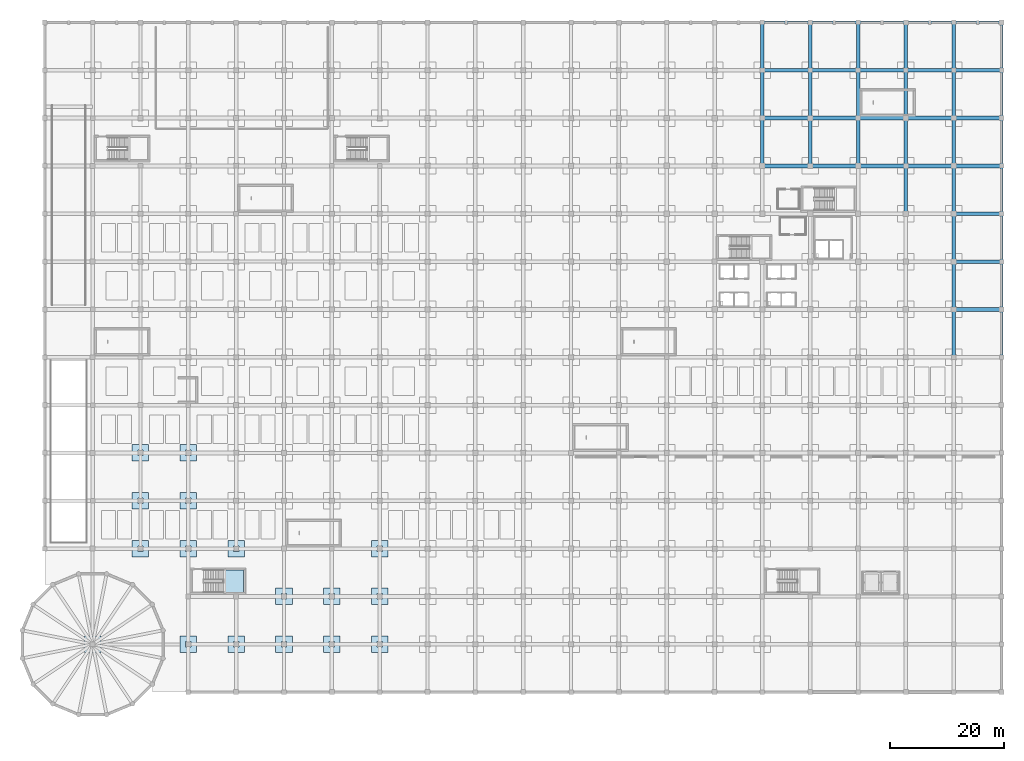
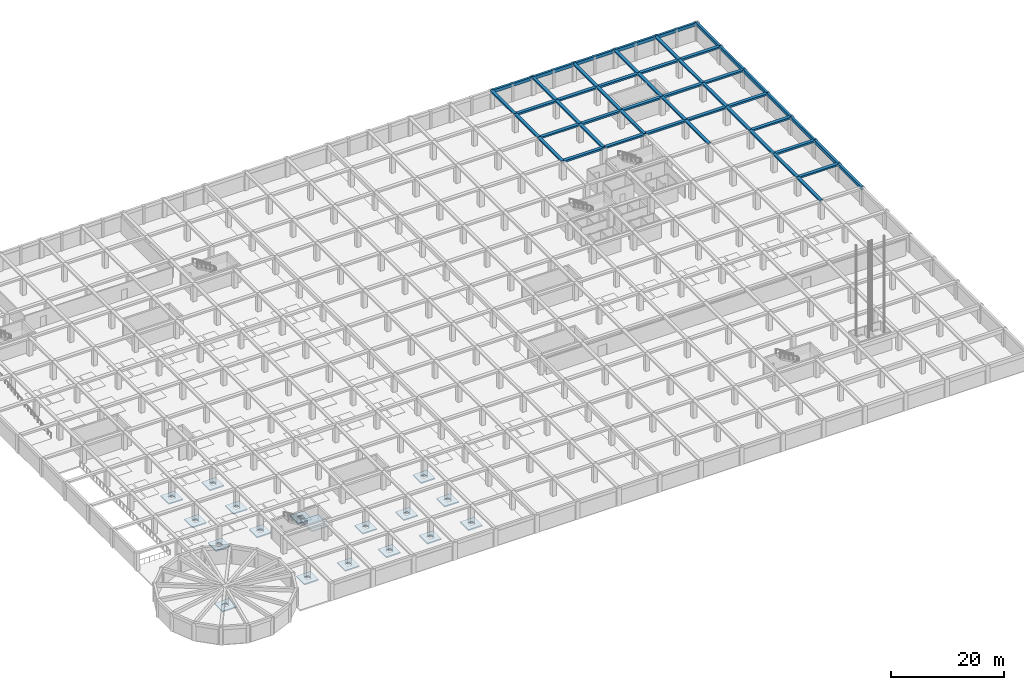
# One storey, part 9 of 32: 50 beams, 18 slabs, 1 element without a shape of its own.
"""IFC4 building model written with IfcOpenShell, lengths in metres."""

from ifc_helpers import new_model, si_unit, direction, frame, origin, origin_2d, place, context, subcontext, project, spatial, polyline, rectangle, outline, extrude, material, layer, layer_set, material_profile, profile_set, type_object, element, aggregate, save


model = new_model("IFC4")

# Units and contexts
model_context = context("Model", 3, precision=1e-05, world=origin(), true_north=direction((0.0, 1.0)))
body_context = subcontext(model_context, "Body", "Model", "MODEL_VIEW")
ifc_project = project(units=[si_unit("LENGTHUNIT", "METRE"), si_unit("AREAUNIT", "SQUARE_METRE"), si_unit("VOLUMEUNIT", "CUBIC_METRE"), si_unit("PLANEANGLEUNIT", "RADIAN"), si_unit("MASSUNIT", "GRAM", prefix="KILO")], contexts=[model_context])

# Site, building, storey
site_placement = place(None, origin())
site = spatial("IfcSite", under=ifc_project, at=site_placement, CompositionType="ELEMENT")
building_placement = place(site_placement, origin())
building = spatial("IfcBuilding", under=site, at=building_placement, Name="Almacenes y Pasaje Nevantli", CompositionType="ELEMENT")
storey_placement = place(building_placement, frame((0.0, 0.0, -4.199951171875)))
storey = spatial("IfcBuildingStorey", under=building, at=storey_placement, Name="B01", CompositionType="ELEMENT", Elevation=-4.199951171875)

# Beams
ifc_material_1 = material(Name="Concrete C35/45", Category="concrete")
ifc_material_profile_1 = material_profile(ifc_material_1, rectangle(XDim=0.449951171875, YDim=0.64990234375, at=origin_2d()), Name="RC-BM-450x650")
ifc_profile_set_1 = profile_set([ifc_material_profile_1], Name="Concrete C35/45")
beam_type_1 = type_object("IfcBeamType", Name="BM-RC-450x650", PredefinedType="SPANDREL", material=ifc_profile_set_1)
for number, where, z_axis, x_axis, name in (
    (1, (126.0, 117.60009765625, 3.554931640625), (1.0, 0.0, 0.0), (0.0, 1.0, 0.0), "B01 East-West Reinforced Concrete Beam #891"),
    (2, (142.800048828125, 117.60009765625, 3.554931640625), (1.0, 0.0, 0.0), (0.0, 1.0, 0.0), "B01 East-West Reinforced Concrete Beam #893"),
    (3, (159.60009765625, 117.60009765625, 3.554931640625), (1.0, 0.0, 0.0), (0.0, 1.0, 0.0), "B01 East-West Reinforced Concrete Beam #895"),
):
    element("IfcBeam", number, at=place(storey_placement, frame(where, z_axis=z_axis, x_axis=x_axis)), inside=storey, type_object=beam_type_1, Name=name, PredefinedType="SPANDREL", context=body_context, shape_type="SweptSolid", body=[
        extrude(rectangle(XDim=0.449951171875, YDim=0.64990234375, at=origin_2d()), origin(), (0.0, 0.0, 1.0), 8.39990234375),
    ])
ifc_material_2 = material(Name="Concrete C35/45", Category="concrete")
ifc_material_profile_2 = material_profile(ifc_material_2, rectangle(XDim=0.449951171875, YDim=0.699951171875, at=origin_2d()), Name="RC-BM-450x700")
ifc_profile_set_2 = profile_set([ifc_material_profile_2], Name="Concrete C35/45")
beam_type_2 = type_object("IfcBeamType", Name="BM-RC-450x700", PredefinedType="SPANDREL", material=ifc_profile_set_2)
for number, where, z_axis, x_axis, name in (
    (4, (134.39990234375, 117.60009765625, 3.530029296875), (1.0, 0.0, 0.0), (0.0, 1.0, 0.0), "B01 East-West Reinforced Concrete Beam #892"),
    (5, (151.199951171875, 117.60009765625, 3.530029296875), (1.0, 0.0, 0.0), (0.0, 1.0, 0.0), "B01 East-West Reinforced Concrete Beam #894"),
):
    element("IfcBeam", number, at=place(storey_placement, frame(where, z_axis=z_axis, x_axis=x_axis)), inside=storey, type_object=beam_type_2, Name=name, PredefinedType="SPANDREL", context=body_context, shape_type="SweptSolid", body=[
        extrude(rectangle(XDim=0.449951171875, YDim=0.699951171875, at=origin_2d()), origin(), (0.0, 0.0, 1.0), 8.400146484375),
    ])
beam_1_placement = place(storey_placement, frame((168.0, 58.800048828125, 3.530029296875), z_axis=(0.0, 1.0, 0.0), x_axis=(-1.0, 0.0, 0.0)))
element("IfcBeam", 6, at=beam_1_placement, inside=storey, type_object=beam_type_2, Name="B01 North-South Reinforced Concrete Beam #1168", PredefinedType="SPANDREL", context=body_context, shape_type="SweptSolid", body=[
    extrude(rectangle(XDim=0.449951171875, YDim=0.699951171875, at=origin_2d()), origin(), (0.0, 0.0, 1.0), 8.39990234375),
])
beam_2_placement = place(storey_placement, frame((168.0, 67.199951171875, 3.530029296875), z_axis=(0.0, 1.0, 0.0), x_axis=(-1.0, 0.0, 0.0)))
element("IfcBeam", 7, at=beam_2_placement, inside=storey, type_object=beam_type_2, Name="B01 North-South Reinforced Concrete Beam #1169", PredefinedType="SPANDREL", context=body_context, shape_type="SweptSolid", body=[
    extrude(rectangle(XDim=0.449951171875, YDim=0.699951171875, at=origin_2d()), origin(), (0.0, 0.0, 1.0), 8.400146484375),
])
for number, where, z_axis, x_axis, name in (
    (8, (168.0, 75.60009765625, 3.530029296875), (0.0, 1.0, 0.0), (-1.0, 0.0, 0.0), "B01 North-South Reinforced Concrete Beam #1170"),
    (9, (168.0, 84.0, 3.530029296875), (0.0, 1.0, 0.0), (-1.0, 0.0, 0.0), "B01 North-South Reinforced Concrete Beam #1171"),
):
    element("IfcBeam", number, at=place(storey_placement, frame(where, z_axis=z_axis, x_axis=x_axis)), inside=storey, type_object=beam_type_2, Name=name, PredefinedType="SPANDREL", context=body_context, shape_type="SweptSolid", body=[
        extrude(rectangle(XDim=0.449951171875, YDim=0.699951171875, at=origin_2d()), origin(), (0.0, 0.0, 1.0), 8.39990234375),
    ])
beam_3_placement = place(storey_placement, frame((168.0, 92.39990234375, 3.530029296875), z_axis=(0.0, 1.0, 0.0), x_axis=(-1.0, 0.0, 0.0)))
element("IfcBeam", 10, at=beam_3_placement, inside=storey, type_object=beam_type_2, Name="B01 North-South Reinforced Concrete Beam #1172", PredefinedType="SPANDREL", context=body_context, shape_type="SweptSolid", body=[
    extrude(rectangle(XDim=0.449951171875, YDim=0.699951171875, at=origin_2d()), origin(), (0.0, 0.0, 1.0), 8.400146484375),
])
beam_4_placement = place(storey_placement, frame((168.0, 100.800048828125, 3.530029296875), z_axis=(0.0, 1.0, 0.0), x_axis=(-1.0, 0.0, 0.0)))
element("IfcBeam", 11, at=beam_4_placement, inside=storey, type_object=beam_type_2, Name="B01 North-South Reinforced Concrete Beam #1173", PredefinedType="SPANDREL", context=body_context, shape_type="SweptSolid", body=[
    extrude(rectangle(XDim=0.449951171875, YDim=0.699951171875, at=origin_2d()), origin(), (0.0, 0.0, 1.0), 8.39990234375),
])
beam_5_placement = place(storey_placement, frame((168.0, 109.199951171875, 3.530029296875), z_axis=(0.0, 1.0, 0.0), x_axis=(-1.0, 0.0, 0.0)))
element("IfcBeam", 12, at=beam_5_placement, inside=storey, type_object=beam_type_2, Name="B01 North-South Reinforced Concrete Beam #1174", PredefinedType="SPANDREL", context=body_context, shape_type="SweptSolid", body=[
    extrude(rectangle(XDim=0.449951171875, YDim=0.699951171875, at=origin_2d()), origin(), (0.0, 0.0, 1.0), 8.400146484375),
])
ifc_material_3 = material(Name="Concrete C35/45", Category="concrete")
ifc_material_profile_3 = material_profile(ifc_material_3, rectangle(XDim=0.60009765625, YDim=0.320068359375, at=origin_2d()), Name="RC-BM-600x320")
ifc_profile_set_3 = profile_set([ifc_material_profile_3], Name="Concrete C35/45")
beam_type_3 = type_object("IfcBeamType", Name="BM-RC-600x320", PredefinedType="BEAM", material=ifc_profile_set_3)
beam_6_placement = place(storey_placement, frame((126.0, 100.800048828125, 3.719970703125), z_axis=(0.0, 1.0, 0.0), x_axis=(-1.0, 0.0, 0.0)))
element("IfcBeam", 13, at=beam_6_placement, inside=storey, type_object=beam_type_3, Name="B01 North-South Reinforced Concrete Beam #1105", PredefinedType="BEAM", context=body_context, shape_type="SweptSolid", body=[
    extrude(rectangle(XDim=0.60009765625, YDim=0.320068359375, at=origin_2d()), origin(), (0.0, 0.0, 1.0), 8.39990234375),
])
for number, where, z_axis, x_axis, name in (
    (14, (134.39990234375, 92.39990234375, 3.719970703125), (0.0, 1.0, 0.0), (-1.0, 0.0, 0.0), "B01 North-South Reinforced Concrete Beam #1116"),
    (15, (134.39990234375, 109.199951171875, 3.719970703125), (0.0, 1.0, 0.0), (-1.0, 0.0, 0.0), "B01 North-South Reinforced Concrete Beam #1118"),
):
    element("IfcBeam", number, at=place(storey_placement, frame(where, z_axis=z_axis, x_axis=x_axis)), inside=storey, type_object=beam_type_3, Name=name, PredefinedType="BEAM", context=body_context, shape_type="SweptSolid", body=[
        extrude(rectangle(XDim=0.60009765625, YDim=0.320068359375, at=origin_2d()), origin(), (0.0, 0.0, 1.0), 8.400146484375),
    ])
beam_7_placement = place(storey_placement, frame((142.800048828125, 100.800048828125, 3.719970703125), z_axis=(0.0, 1.0, 0.0), x_axis=(-1.0, 0.0, 0.0)))
element("IfcBeam", 16, at=beam_7_placement, inside=storey, type_object=beam_type_3, Name="B01 North-South Reinforced Concrete Beam #1131", PredefinedType="BEAM", context=body_context, shape_type="SweptSolid", body=[
    extrude(rectangle(XDim=0.60009765625, YDim=0.320068359375, at=origin_2d()), origin(), (0.0, 0.0, 1.0), 8.39990234375),
])
for number, where, z_axis, x_axis, name in (
    (17, (151.199951171875, 92.39990234375, 3.719970703125), (0.0, 1.0, 0.0), (-1.0, 0.0, 0.0), "B01 North-South Reinforced Concrete Beam #1144"),
    (18, (151.199951171875, 109.199951171875, 3.719970703125), (0.0, 1.0, 0.0), (-1.0, 0.0, 0.0), "B01 North-South Reinforced Concrete Beam #1146"),
    (19, (159.60009765625, 67.199951171875, 3.719970703125), (0.0, 1.0, 0.0), (-1.0, 0.0, 0.0), "B01 North-South Reinforced Concrete Beam #1155"),
):
    element("IfcBeam", number, at=place(storey_placement, frame(where, z_axis=z_axis, x_axis=x_axis)), inside=storey, type_object=beam_type_3, Name=name, PredefinedType="BEAM", context=body_context, shape_type="SweptSolid", body=[
        extrude(rectangle(XDim=0.60009765625, YDim=0.320068359375, at=origin_2d()), origin(), (0.0, 0.0, 1.0), 8.400146484375),
    ])
for number, where, z_axis, x_axis, name in (
    (20, (159.60009765625, 84.0, 3.719970703125), (0.0, 1.0, 0.0), (-1.0, 0.0, 0.0), "B01 North-South Reinforced Concrete Beam #1157"),
    (21, (159.60009765625, 100.800048828125, 3.719970703125), (0.0, 1.0, 0.0), (-1.0, 0.0, 0.0), "B01 North-South Reinforced Concrete Beam #1159"),
):
    element("IfcBeam", number, at=place(storey_placement, frame(where, z_axis=z_axis, x_axis=x_axis)), inside=storey, type_object=beam_type_3, Name=name, PredefinedType="BEAM", context=body_context, shape_type="SweptSolid", body=[
        extrude(rectangle(XDim=0.60009765625, YDim=0.320068359375, at=origin_2d()), origin(), (0.0, 0.0, 1.0), 8.39990234375),
    ])
ifc_material_4 = material(Name="Concrete C35/45", Category="concrete")
ifc_material_profile_4 = material_profile(ifc_material_4, rectangle(XDim=0.60009765625, YDim=0.340087890625, at=origin_2d()), Name="RC-BM-600x340")
ifc_profile_set_4 = profile_set([ifc_material_profile_4], Name="Concrete C35/45")
beam_type_4 = type_object("IfcBeamType", Name="BM-RC-600x340", PredefinedType="BEAM", material=ifc_profile_set_4)
for number, where, z_axis, x_axis, name in (
    (22, (126.0, 92.39990234375, 3.7099609375), (0.0, 1.0, 0.0), (-1.0, 0.0, 0.0), "B01 North-South Reinforced Concrete Beam #1104"),
    (23, (126.0, 109.199951171875, 3.7099609375), (0.0, 1.0, 0.0), (-1.0, 0.0, 0.0), "B01 North-South Reinforced Concrete Beam #1106"),
):
    element("IfcBeam", number, at=place(storey_placement, frame(where, z_axis=z_axis, x_axis=x_axis)), inside=storey, type_object=beam_type_4, Name=name, PredefinedType="BEAM", context=body_context, shape_type="SweptSolid", body=[
        extrude(rectangle(XDim=0.60009765625, YDim=0.340087890625, at=origin_2d()), origin(), (0.0, 0.0, 1.0), 8.400146484375),
    ])
beam_8_placement = place(storey_placement, frame((134.39990234375, 100.800048828125, 3.7099609375), z_axis=(0.0, 1.0, 0.0), x_axis=(-1.0, 0.0, 0.0)))
element("IfcBeam", 24, at=beam_8_placement, inside=storey, type_object=beam_type_4, Name="B01 North-South Reinforced Concrete Beam #1117", PredefinedType="BEAM", context=body_context, shape_type="SweptSolid", body=[
    extrude(rectangle(XDim=0.60009765625, YDim=0.340087890625, at=origin_2d()), origin(), (0.0, 0.0, 1.0), 8.39990234375),
])
for number, where, z_axis, x_axis, name in (
    (25, (142.800048828125, 92.39990234375, 3.7099609375), (0.0, 1.0, 0.0), (-1.0, 0.0, 0.0), "B01 North-South Reinforced Concrete Beam #1130"),
    (26, (142.800048828125, 109.199951171875, 3.7099609375), (0.0, 1.0, 0.0), (-1.0, 0.0, 0.0), "B01 North-South Reinforced Concrete Beam #1132"),
):
    element("IfcBeam", number, at=place(storey_placement, frame(where, z_axis=z_axis, x_axis=x_axis)), inside=storey, type_object=beam_type_4, Name=name, PredefinedType="BEAM", context=body_context, shape_type="SweptSolid", body=[
        extrude(rectangle(XDim=0.60009765625, YDim=0.340087890625, at=origin_2d()), origin(), (0.0, 0.0, 1.0), 8.400146484375),
    ])
for number, where, z_axis, x_axis, name in (
    (27, (151.199951171875, 84.0, 3.7099609375), (0.0, 1.0, 0.0), (-1.0, 0.0, 0.0), "B01 North-South Reinforced Concrete Beam #1143"),
    (28, (151.199951171875, 100.800048828125, 3.7099609375), (0.0, 1.0, 0.0), (-1.0, 0.0, 0.0), "B01 North-South Reinforced Concrete Beam #1145"),
    (29, (159.60009765625, 58.800048828125, 3.7099609375), (0.0, 1.0, 0.0), (-1.0, 0.0, 0.0), "B01 North-South Reinforced Concrete Beam #1154"),
    (30, (159.60009765625, 75.60009765625, 3.7099609375), (0.0, 1.0, 0.0), (-1.0, 0.0, 0.0), "B01 North-South Reinforced Concrete Beam #1156"),
):
    element("IfcBeam", number, at=place(storey_placement, frame(where, z_axis=z_axis, x_axis=x_axis)), inside=storey, type_object=beam_type_4, Name=name, PredefinedType="BEAM", context=body_context, shape_type="SweptSolid", body=[
        extrude(rectangle(XDim=0.60009765625, YDim=0.340087890625, at=origin_2d()), origin(), (0.0, 0.0, 1.0), 8.39990234375),
    ])
for number, where, z_axis, x_axis, name in (
    (31, (159.60009765625, 92.39990234375, 3.7099609375), (0.0, 1.0, 0.0), (-1.0, 0.0, 0.0), "B01 North-South Reinforced Concrete Beam #1158"),
    (32, (159.60009765625, 109.199951171875, 3.7099609375), (0.0, 1.0, 0.0), (-1.0, 0.0, 0.0), "B01 North-South Reinforced Concrete Beam #1160"),
):
    element("IfcBeam", number, at=place(storey_placement, frame(where, z_axis=z_axis, x_axis=x_axis)), inside=storey, type_object=beam_type_4, Name=name, PredefinedType="BEAM", context=body_context, shape_type="SweptSolid", body=[
        extrude(rectangle(XDim=0.60009765625, YDim=0.340087890625, at=origin_2d()), origin(), (0.0, 0.0, 1.0), 8.400146484375),
    ])
ifc_material_5 = material(Name="Concrete C35/45", Category="concrete")
ifc_material_profile_5 = material_profile(ifc_material_5, rectangle(XDim=0.64990234375, YDim=0.35009765625, at=origin_2d()), Name="RC-BM-650x350")
ifc_profile_set_5 = profile_set([ifc_material_profile_5], Name="Concrete C35/45")
beam_type_5 = type_object("IfcBeamType", Name="BM-RC-650x350", PredefinedType="BEAM", material=ifc_profile_set_5)
for number, where, z_axis, x_axis, name in (
    (33, (159.60009765625, 67.199951171875, 3.704833984375), (1.0, 0.0, 0.0), (0.0, 1.0, 0.0), "B01 East-West Reinforced Concrete Beam #775"),
    (34, (159.60009765625, 84.0, 3.704833984375), (1.0, 0.0, 0.0), (0.0, 1.0, 0.0), "B01 East-West Reinforced Concrete Beam #815"),
):
    element("IfcBeam", number, at=place(storey_placement, frame(where, z_axis=z_axis, x_axis=x_axis)), inside=storey, type_object=beam_type_5, Name=name, PredefinedType="BEAM", context=body_context, shape_type="SweptSolid", body=[
        extrude(rectangle(XDim=0.64990234375, YDim=0.35009765625, at=origin_2d()), origin(), (0.0, 0.0, 1.0), 8.39990234375),
    ])
for number, where, z_axis, x_axis, name in (
    (35, (134.39990234375, 92.39990234375, 3.704833984375), (1.0, 0.0, 0.0), (0.0, 1.0, 0.0), "B01 East-West Reinforced Concrete Beam #832"),
    (36, (151.199951171875, 92.39990234375, 3.704833984375), (1.0, 0.0, 0.0), (0.0, 1.0, 0.0), "B01 East-West Reinforced Concrete Beam #834"),
):
    element("IfcBeam", number, at=place(storey_placement, frame(where, z_axis=z_axis, x_axis=x_axis)), inside=storey, type_object=beam_type_5, Name=name, PredefinedType="BEAM", context=body_context, shape_type="SweptSolid", body=[
        extrude(rectangle(XDim=0.64990234375, YDim=0.35009765625, at=origin_2d()), origin(), (0.0, 0.0, 1.0), 8.400146484375),
    ])
for number, where, z_axis, x_axis, name in (
    (37, (126.0, 100.800048828125, 3.704833984375), (1.0, 0.0, 0.0), (0.0, 1.0, 0.0), "B01 East-West Reinforced Concrete Beam #851"),
    (38, (142.800048828125, 100.800048828125, 3.704833984375), (1.0, 0.0, 0.0), (0.0, 1.0, 0.0), "B01 East-West Reinforced Concrete Beam #853"),
    (39, (159.60009765625, 100.800048828125, 3.704833984375), (1.0, 0.0, 0.0), (0.0, 1.0, 0.0), "B01 East-West Reinforced Concrete Beam #855"),
):
    element("IfcBeam", number, at=place(storey_placement, frame(where, z_axis=z_axis, x_axis=x_axis)), inside=storey, type_object=beam_type_5, Name=name, PredefinedType="BEAM", context=body_context, shape_type="SweptSolid", body=[
        extrude(rectangle(XDim=0.64990234375, YDim=0.35009765625, at=origin_2d()), origin(), (0.0, 0.0, 1.0), 8.39990234375),
    ])
for number, where, z_axis, x_axis, name in (
    (40, (134.39990234375, 109.199951171875, 3.704833984375), (1.0, 0.0, 0.0), (0.0, 1.0, 0.0), "B01 East-West Reinforced Concrete Beam #872"),
    (41, (151.199951171875, 109.199951171875, 3.704833984375), (1.0, 0.0, 0.0), (0.0, 1.0, 0.0), "B01 East-West Reinforced Concrete Beam #874"),
):
    element("IfcBeam", number, at=place(storey_placement, frame(where, z_axis=z_axis, x_axis=x_axis)), inside=storey, type_object=beam_type_5, Name=name, PredefinedType="BEAM", context=body_context, shape_type="SweptSolid", body=[
        extrude(rectangle(XDim=0.64990234375, YDim=0.35009765625, at=origin_2d()), origin(), (0.0, 0.0, 1.0), 8.400146484375),
    ])
ifc_material_6 = material(Name="Concrete C35/45", Category="concrete")
ifc_material_profile_6 = material_profile(ifc_material_6, rectangle(XDim=0.64990234375, YDim=0.3798828125, at=origin_2d()), Name="RC-BM-650x380")
ifc_profile_set_6 = profile_set([ifc_material_profile_6], Name="Concrete C35/45")
beam_type_6 = type_object("IfcBeamType", Name="BM-RC-650x380", PredefinedType="BEAM", material=ifc_profile_set_6)
for number, where, z_axis, x_axis, name in (
    (42, (159.60009765625, 75.60009765625, 3.68994140625), (1.0, 0.0, 0.0), (0.0, 1.0, 0.0), "B01 East-West Reinforced Concrete Beam #795"),
    (43, (126.0, 92.39990234375, 3.68994140625), (1.0, 0.0, 0.0), (0.0, 1.0, 0.0), "B01 East-West Reinforced Concrete Beam #831"),
    (44, (142.800048828125, 92.39990234375, 3.68994140625), (1.0, 0.0, 0.0), (0.0, 1.0, 0.0), "B01 East-West Reinforced Concrete Beam #833"),
    (45, (159.60009765625, 92.39990234375, 3.68994140625), (1.0, 0.0, 0.0), (0.0, 1.0, 0.0), "B01 East-West Reinforced Concrete Beam #835"),
):
    element("IfcBeam", number, at=place(storey_placement, frame(where, z_axis=z_axis, x_axis=x_axis)), inside=storey, type_object=beam_type_6, Name=name, PredefinedType="BEAM", context=body_context, shape_type="SweptSolid", body=[
        extrude(rectangle(XDim=0.64990234375, YDim=0.3798828125, at=origin_2d()), origin(), (0.0, 0.0, 1.0), 8.39990234375),
    ])
for number, where, z_axis, x_axis, name in (
    (46, (134.39990234375, 100.800048828125, 3.68994140625), (1.0, 0.0, 0.0), (0.0, 1.0, 0.0), "B01 East-West Reinforced Concrete Beam #852"),
    (47, (151.199951171875, 100.800048828125, 3.68994140625), (1.0, 0.0, 0.0), (0.0, 1.0, 0.0), "B01 East-West Reinforced Concrete Beam #854"),
):
    element("IfcBeam", number, at=place(storey_placement, frame(where, z_axis=z_axis, x_axis=x_axis)), inside=storey, type_object=beam_type_6, Name=name, PredefinedType="BEAM", context=body_context, shape_type="SweptSolid", body=[
        extrude(rectangle(XDim=0.64990234375, YDim=0.3798828125, at=origin_2d()), origin(), (0.0, 0.0, 1.0), 8.400146484375),
    ])
for number, where, z_axis, x_axis, name in (
    (48, (126.0, 109.199951171875, 3.68994140625), (1.0, 0.0, 0.0), (0.0, 1.0, 0.0), "B01 East-West Reinforced Concrete Beam #871"),
    (49, (142.800048828125, 109.199951171875, 3.68994140625), (1.0, 0.0, 0.0), (0.0, 1.0, 0.0), "B01 East-West Reinforced Concrete Beam #873"),
    (50, (159.60009765625, 109.199951171875, 3.68994140625), (1.0, 0.0, 0.0), (0.0, 1.0, 0.0), "B01 East-West Reinforced Concrete Beam #875"),
):
    element("IfcBeam", number, at=place(storey_placement, frame(where, z_axis=z_axis, x_axis=x_axis)), inside=storey, type_object=beam_type_6, Name=name, PredefinedType="BEAM", context=body_context, shape_type="SweptSolid", body=[
        extrude(rectangle(XDim=0.64990234375, YDim=0.3798828125, at=origin_2d()), origin(), (0.0, 0.0, 1.0), 8.39990234375),
    ])

# Slabs
ifc_material_7 = material(Name="Concrete C35/45", Category="concrete")
ifc_layer_1 = layer(ifc_material_7, 0.25)
ifc_layer_set_1 = layer_set([ifc_layer_1], Name="Concrete C35/45")
slab_type_1 = type_object("IfcSlabType", Name="SLB-DP-250", PredefinedType="USERDEFINED", material=ifc_layer_set_1)
slab_1_placement = place(storey_placement, frame((0.0, 0.0, -0.550048828125)))
element("IfcSlab", 51, at=slab_1_placement, inside=storey, type_object=slab_type_1, Name="B01 Punching-Shear Drop Panel DP-02 #1", ObjectType="DROP PANEL", PredefinedType="USERDEFINED", context=body_context, shape_type="SweptSolid", body=[
    extrude(outline(polyline([(6.949951171875, 6.949951171875), (9.85009765625, 6.949951171875), (9.85009765625, 9.85009765625), (6.949951171875, 9.85009765625), (6.949951171875, 6.949951171875)]), holes=[polyline([(7.919921875, 7.919921875), (8.8798828125, 7.919921875), (8.8798828125, 8.8798828125), (7.919921875, 8.8798828125), (7.919921875, 7.919921875)])]), origin(), (0.0, 0.0, 1.0), 0.25),
])
slab_2_placement = place(storey_placement, frame((0.0, 0.0, -0.550048828125)))
element("IfcSlab", 52, at=slab_2_placement, inside=storey, type_object=slab_type_1, Name="B01 Punching-Shear Drop Panel DP-02 #3", ObjectType="DROP PANEL", PredefinedType="USERDEFINED", context=body_context, shape_type="SweptSolid", body=[
    extrude(outline(polyline([(15.35009765625, 23.75), (18.25, 23.75), (18.25, 26.64990234375), (15.35009765625, 26.64990234375), (15.35009765625, 23.75)]), holes=[polyline([(16.320068359375, 24.719970703125), (17.280029296875, 24.719970703125), (17.280029296875, 25.679931640625), (16.320068359375, 25.679931640625), (16.320068359375, 24.719970703125)])]), origin(), (0.0, 0.0, 1.0), 0.25),
])
slab_3_placement = place(storey_placement, frame((0.0, 0.0, -0.550048828125)))
element("IfcSlab", 53, at=slab_3_placement, inside=storey, type_object=slab_type_1, Name="B01 Punching-Shear Drop Panel DP-02 #4", ObjectType="DROP PANEL", PredefinedType="USERDEFINED", context=body_context, shape_type="SweptSolid", body=[
    extrude(outline(polyline([(15.35009765625, 32.14990234375), (18.25, 32.14990234375), (18.25, 35.050048828125), (15.35009765625, 35.050048828125), (15.35009765625, 32.14990234375)]), holes=[polyline([(16.320068359375, 33.1201171875), (17.280029296875, 33.1201171875), (17.280029296875, 34.080078125), (16.320068359375, 34.080078125), (16.320068359375, 33.1201171875)])]), origin(), (0.0, 0.0, 1.0), 0.25),
])
slab_4_placement = place(storey_placement, frame((0.0, 0.0, -0.550048828125)))
element("IfcSlab", 54, at=slab_4_placement, inside=storey, type_object=slab_type_1, Name="B01 Punching-Shear Drop Panel DP-02 #5", ObjectType="DROP PANEL", PredefinedType="USERDEFINED", context=body_context, shape_type="SweptSolid", body=[
    extrude(outline(polyline([(15.35009765625, 40.550048828125), (18.25, 40.550048828125), (18.25, 43.449951171875), (15.35009765625, 43.449951171875), (15.35009765625, 40.550048828125)]), holes=[polyline([(16.320068359375, 41.52001953125), (17.280029296875, 41.52001953125), (17.280029296875, 42.47998046875), (16.320068359375, 42.47998046875), (16.320068359375, 41.52001953125)])]), origin(), (0.0, 0.0, 1.0), 0.25),
])
slab_5_placement = place(storey_placement, frame((0.0, 0.0, -0.550048828125)))
element("IfcSlab", 55, at=slab_5_placement, inside=storey, type_object=slab_type_1, Name="B01 Punching-Shear Drop Panel DP-02 #11", ObjectType="DROP PANEL", PredefinedType="USERDEFINED", context=body_context, shape_type="SweptSolid", body=[
    extrude(outline(polyline([(23.75, 6.949951171875), (26.64990234375, 6.949951171875), (26.64990234375, 9.85009765625), (23.75, 9.85009765625), (23.75, 6.949951171875)]), holes=[polyline([(24.719970703125, 7.919921875), (25.679931640625, 7.919921875), (25.679931640625, 8.8798828125), (24.719970703125, 8.8798828125), (24.719970703125, 7.919921875)])]), origin(), (0.0, 0.0, 1.0), 0.25),
])
slab_6_placement = place(storey_placement, frame((0.0, 0.0, -0.550048828125)))
element("IfcSlab", 56, at=slab_6_placement, inside=storey, type_object=slab_type_1, Name="B01 Punching-Shear Drop Panel DP-02 #12", ObjectType="DROP PANEL", PredefinedType="USERDEFINED", context=body_context, shape_type="SweptSolid", body=[
    extrude(outline(polyline([(23.75, 23.75), (26.64990234375, 23.75), (26.64990234375, 26.64990234375), (23.75, 26.64990234375), (23.75, 23.75)]), holes=[polyline([(24.719970703125, 24.719970703125), (25.679931640625, 24.719970703125), (25.679931640625, 25.679931640625), (24.719970703125, 25.679931640625), (24.719970703125, 24.719970703125)])]), origin(), (0.0, 0.0, 1.0), 0.25),
])
slab_7_placement = place(storey_placement, frame((0.0, 0.0, -0.550048828125)))
element("IfcSlab", 57, at=slab_7_placement, inside=storey, type_object=slab_type_1, Name="B01 Punching-Shear Drop Panel DP-02 #13", ObjectType="DROP PANEL", PredefinedType="USERDEFINED", context=body_context, shape_type="SweptSolid", body=[
    extrude(outline(polyline([(23.75, 32.14990234375), (26.64990234375, 32.14990234375), (26.64990234375, 35.050048828125), (23.75, 35.050048828125), (23.75, 32.14990234375)]), holes=[polyline([(24.719970703125, 33.1201171875), (25.679931640625, 33.1201171875), (25.679931640625, 34.080078125), (24.719970703125, 34.080078125), (24.719970703125, 33.1201171875)])]), origin(), (0.0, 0.0, 1.0), 0.25),
])
slab_8_placement = place(storey_placement, frame((0.0, 0.0, -0.550048828125)))
element("IfcSlab", 58, at=slab_8_placement, inside=storey, type_object=slab_type_1, Name="B01 Punching-Shear Drop Panel DP-02 #14", ObjectType="DROP PANEL", PredefinedType="USERDEFINED", context=body_context, shape_type="SweptSolid", body=[
    extrude(outline(polyline([(23.75, 40.550048828125), (26.64990234375, 40.550048828125), (26.64990234375, 43.449951171875), (23.75, 43.449951171875), (23.75, 40.550048828125)]), holes=[polyline([(24.719970703125, 41.52001953125), (25.679931640625, 41.52001953125), (25.679931640625, 42.47998046875), (24.719970703125, 42.47998046875), (24.719970703125, 41.52001953125)])]), origin(), (0.0, 0.0, 1.0), 0.25),
])
slab_9_placement = place(storey_placement, frame((0.0, 0.0, -0.550048828125)))
element("IfcSlab", 59, at=slab_9_placement, inside=storey, type_object=slab_type_1, Name="B01 Punching-Shear Drop Panel DP-02 #22", ObjectType="DROP PANEL", PredefinedType="USERDEFINED", context=body_context, shape_type="SweptSolid", body=[
    extrude(outline(polyline([(32.14990234375, 6.949951171875), (35.050048828125, 6.949951171875), (35.050048828125, 9.85009765625), (32.14990234375, 9.85009765625), (32.14990234375, 6.949951171875)]), holes=[polyline([(33.1201171875, 7.919921875), (34.080078125, 7.919921875), (34.080078125, 8.8798828125), (33.1201171875, 8.8798828125), (33.1201171875, 7.919921875)])]), origin(), (0.0, 0.0, 1.0), 0.25),
])
slab_10_placement = place(storey_placement, frame((0.0, 0.0, -0.550048828125)))
element("IfcSlab", 60, at=slab_10_placement, inside=storey, type_object=slab_type_1, Name="B01 Punching-Shear Drop Panel DP-02 #23", ObjectType="DROP PANEL", PredefinedType="USERDEFINED", context=body_context, shape_type="SweptSolid", body=[
    extrude(outline(polyline([(32.14990234375, 23.75), (35.050048828125, 23.75), (35.050048828125, 26.64990234375), (32.14990234375, 26.64990234375), (32.14990234375, 23.75)]), holes=[polyline([(33.1201171875, 24.719970703125), (34.080078125, 24.719970703125), (34.080078125, 25.679931640625), (33.1201171875, 25.679931640625), (33.1201171875, 24.719970703125)])]), origin(), (0.0, 0.0, 1.0), 0.25),
])
slab_11_placement = place(storey_placement, frame((0.0, 0.0, -0.550048828125)))
element("IfcSlab", 61, at=slab_11_placement, inside=storey, type_object=slab_type_1, Name="B01 Punching-Shear Drop Panel DP-02 #33", ObjectType="DROP PANEL", PredefinedType="USERDEFINED", context=body_context, shape_type="SweptSolid", body=[
    extrude(outline(polyline([(40.550048828125, 6.949951171875), (43.449951171875, 6.949951171875), (43.449951171875, 9.85009765625), (40.550048828125, 9.85009765625), (40.550048828125, 6.949951171875)]), holes=[polyline([(41.52001953125, 7.919921875), (42.47998046875, 7.919921875), (42.47998046875, 8.8798828125), (41.52001953125, 8.8798828125), (41.52001953125, 7.919921875)])]), origin(), (0.0, 0.0, 1.0), 0.25),
])
slab_12_placement = place(storey_placement, frame((0.0, 0.0, -0.550048828125)))
element("IfcSlab", 62, at=slab_12_placement, inside=storey, type_object=slab_type_1, Name="B01 Punching-Shear Drop Panel DP-02 #34", ObjectType="DROP PANEL", PredefinedType="USERDEFINED", context=body_context, shape_type="SweptSolid", body=[
    extrude(outline(polyline([(40.550048828125, 15.35009765625), (43.449951171875, 15.35009765625), (43.449951171875, 18.25), (40.550048828125, 18.25), (40.550048828125, 15.35009765625)]), holes=[polyline([(41.52001953125, 16.320068359375), (42.47998046875, 16.320068359375), (42.47998046875, 17.280029296875), (41.52001953125, 17.280029296875), (41.52001953125, 16.320068359375)])]), origin(), (0.0, 0.0, 1.0), 0.25),
])
slab_13_placement = place(storey_placement, frame((0.0, 0.0, -0.550048828125)))
element("IfcSlab", 63, at=slab_13_placement, inside=storey, type_object=slab_type_1, Name="B01 Punching-Shear Drop Panel DP-02 #44", ObjectType="DROP PANEL", PredefinedType="USERDEFINED", context=body_context, shape_type="SweptSolid", body=[
    extrude(outline(polyline([(48.949951171875, 6.949951171875), (51.85009765625, 6.949951171875), (51.85009765625, 9.85009765625), (48.949951171875, 9.85009765625), (48.949951171875, 6.949951171875)]), holes=[polyline([(49.919921875, 7.919921875), (50.8798828125, 7.919921875), (50.8798828125, 8.8798828125), (49.919921875, 8.8798828125), (49.919921875, 7.919921875)])]), origin(), (0.0, 0.0, 1.0), 0.25),
])
slab_14_placement = place(storey_placement, frame((0.0, 0.0, -0.550048828125)))
element("IfcSlab", 64, at=slab_14_placement, inside=storey, type_object=slab_type_1, Name="B01 Punching-Shear Drop Panel DP-02 #45", ObjectType="DROP PANEL", PredefinedType="USERDEFINED", context=body_context, shape_type="SweptSolid", body=[
    extrude(outline(polyline([(48.949951171875, 15.35009765625), (51.85009765625, 15.35009765625), (51.85009765625, 18.25), (48.949951171875, 18.25), (48.949951171875, 15.35009765625)]), holes=[polyline([(49.919921875, 16.320068359375), (50.8798828125, 16.320068359375), (50.8798828125, 17.280029296875), (49.919921875, 17.280029296875), (49.919921875, 16.320068359375)])]), origin(), (0.0, 0.0, 1.0), 0.25),
])
slab_15_placement = place(storey_placement, frame((0.0, 0.0, -0.550048828125)))
element("IfcSlab", 65, at=slab_15_placement, inside=storey, type_object=slab_type_1, Name="B01 Punching-Shear Drop Panel DP-02 #55", ObjectType="DROP PANEL", PredefinedType="USERDEFINED", context=body_context, shape_type="SweptSolid", body=[
    extrude(outline(polyline([(57.35009765625, 6.949951171875), (60.25, 6.949951171875), (60.25, 9.85009765625), (57.35009765625, 9.85009765625), (57.35009765625, 6.949951171875)]), holes=[polyline([(58.320068359375, 7.919921875), (59.280029296875, 7.919921875), (59.280029296875, 8.8798828125), (58.320068359375, 8.8798828125), (58.320068359375, 7.919921875)])]), origin(), (0.0, 0.0, 1.0), 0.25),
])
slab_16_placement = place(storey_placement, frame((0.0, 0.0, -0.550048828125)))
element("IfcSlab", 66, at=slab_16_placement, inside=storey, type_object=slab_type_1, Name="B01 Punching-Shear Drop Panel DP-02 #56", ObjectType="DROP PANEL", PredefinedType="USERDEFINED", context=body_context, shape_type="SweptSolid", body=[
    extrude(outline(polyline([(57.35009765625, 15.35009765625), (60.25, 15.35009765625), (60.25, 18.25), (57.35009765625, 18.25), (57.35009765625, 15.35009765625)]), holes=[polyline([(58.320068359375, 16.320068359375), (59.280029296875, 16.320068359375), (59.280029296875, 17.280029296875), (58.320068359375, 17.280029296875), (58.320068359375, 16.320068359375)])]), origin(), (0.0, 0.0, 1.0), 0.25),
])
slab_17_placement = place(storey_placement, frame((0.0, 0.0, -0.550048828125)))
element("IfcSlab", 67, at=slab_17_placement, inside=storey, type_object=slab_type_1, Name="B01 Punching-Shear Drop Panel DP-02 #57", ObjectType="DROP PANEL", PredefinedType="USERDEFINED", context=body_context, shape_type="SweptSolid", body=[
    extrude(outline(polyline([(57.35009765625, 23.75), (60.25, 23.75), (60.25, 26.64990234375), (57.35009765625, 26.64990234375), (57.35009765625, 23.75)]), holes=[polyline([(58.320068359375, 24.719970703125), (59.280029296875, 24.719970703125), (59.280029296875, 25.679931640625), (58.320068359375, 25.679931640625), (58.320068359375, 24.719970703125)])]), origin(), (0.0, 0.0, 1.0), 0.25),
])

# Stair, slab
ifc_material_8 = material(Name="Concrete C35/45", Category="concrete")
stair_type = type_object("IfcStairType", Name="STR-CORE-1750", PredefinedType="HALF_TURN_STAIR", material=ifc_material_8)
stair_placement = place(storey_placement, origin())
stair = element("IfcStair", 68, at=stair_placement, inside=storey, type_object=stair_type, Name="B01 Staircase ST-04", PredefinedType="HALF_TURN_STAIR")
ifc_material_9 = material(Name="Concrete C35/45", Category="concrete")
ifc_layer_2 = layer(ifc_material_9, 0.199951171875)
ifc_layer_set_2 = layer_set([ifc_layer_2], Name="Concrete C35/45")
slab_type_2 = type_object("IfcSlabType", Name="SLB-LAND-200", PredefinedType="LANDING", material=ifc_layer_set_2)
slab_18_placement = place(storey_placement, frame((0.0, 0.0, 1.89990234375)))
slab_18 = element("IfcSlab", 69, at=slab_18_placement, type_object=slab_type_2, Name="ST-04-B01 landing 1", PredefinedType="LANDING", context=body_context, shape_type="SweptSolid", body=[
    extrude(outline(polyline([(31.364990234375, 17.5), (34.89990234375, 17.5), (34.89990234375, 21.449951171875), (31.364990234375, 21.449951171875), (31.364990234375, 17.5)])), origin(), (0.0, 0.0, 1.0), 0.199951171875),
])
aggregate(stair, [slab_18])

save(model, "model.ifc")
